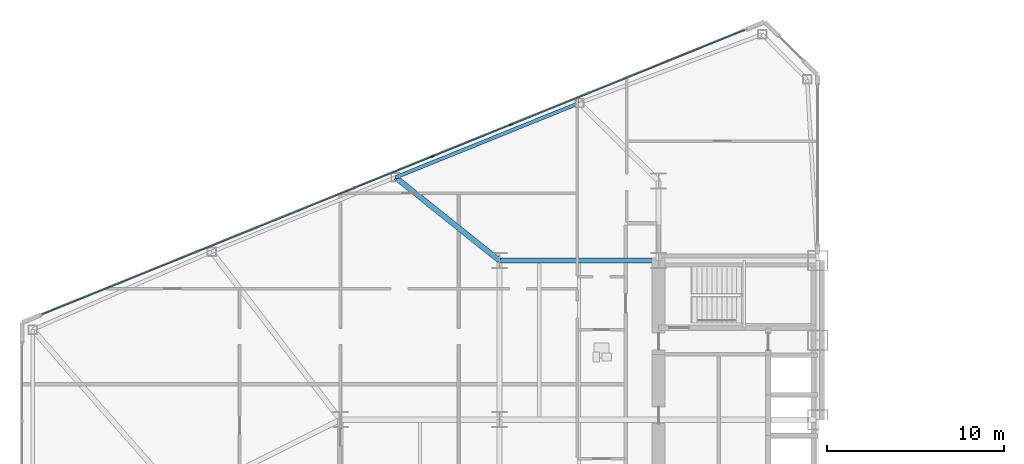
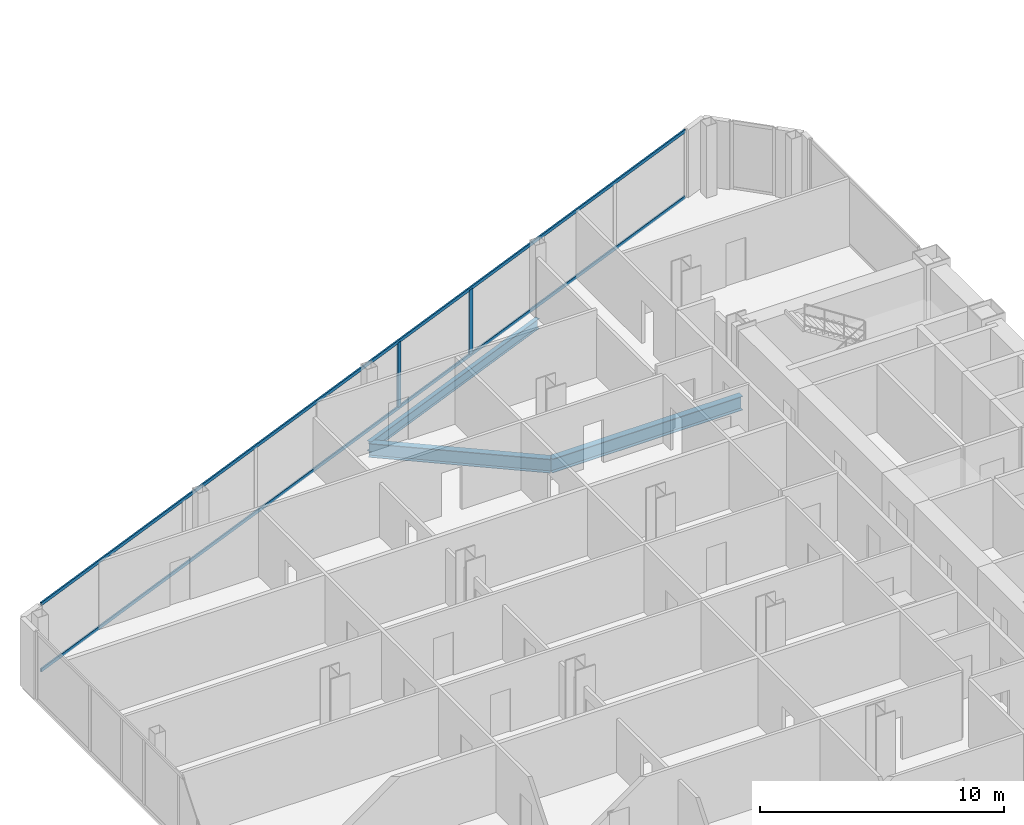
# One storey, part 7 of 25: 4 members, 3 beams, 1 element without a shape of its own.
"""IFC4 building model written with IfcOpenShell, lengths in metres."""

from ifc_helpers import new_model, si_unit, direction, frame, origin, origin_2d, place, context, subcontext, project, spatial, rectangle, i_section, extrude, source, transform, mapped, material, layer, layer_set, material_profile, profile_set, type_object, type_shapes, element, aggregate, save


model = new_model("IFC4")

# Units and contexts
model_context = context("Model", 3, precision=1e-05, world=origin(), true_north=direction((0.0, 1.0)))
body_context = subcontext(model_context, "Body", "Model", "MODEL_VIEW")
ifc_project = project(units=[si_unit("LENGTHUNIT", "METRE"), si_unit("AREAUNIT", "SQUARE_METRE"), si_unit("VOLUMEUNIT", "CUBIC_METRE"), si_unit("PLANEANGLEUNIT", "RADIAN"), si_unit("MASSUNIT", "GRAM", prefix="KILO")], contexts=[model_context])

# Site, building, storey
site_placement = place(None, origin())
site = spatial("IfcSite", under=ifc_project, at=site_placement, CompositionType="ELEMENT")
building_placement = place(site_placement, origin())
building = spatial("IfcBuilding", under=site, at=building_placement, Name="Seokmaru Belvedere", CompositionType="ELEMENT")
storey_placement = place(building_placement, frame((0.0, 0.0, 22.5)))
storey = spatial("IfcBuildingStorey", under=building, at=storey_placement, Name="L05", CompositionType="ELEMENT", Elevation=22.5)

# Beams
ifc_material_1 = material(Name="Steel SM355 (355 MPa)", Category="steel")
ifc_material_profile_1 = material_profile(ifc_material_1, i_section(OverallWidth=0.300048828125, OverallDepth=0.699951171875, WebThickness=0.012939453125, FlangeThickness=0.02392578125, at=origin_2d()), Name="H-700x300x13x24")
ifc_profile_set_1 = profile_set([ifc_material_profile_1], Name="Steel SM355 (355 MPa)")
beam_type_1 = type_object("IfcBeamType", Name="Primary Floor Girder H-700", PredefinedType="BEAM", material=ifc_profile_set_1)
shared_shape_1 = source(origin(), body_context, "Body", "SweptSolid", [
    extrude(i_section(OverallWidth=0.300048828125, OverallDepth=0.699951171875, WebThickness=0.012939453125, FlangeThickness=0.02392578125, at=origin_2d()), origin(), (0.0, 0.0, 1.0), 9.0),
])
beam_1_placement = place(storey_placement, frame((-45.5, 13.5, -0.570068359375), z_axis=(1.0, 0.0, 0.0), x_axis=(0.0, 1.0, 0.0)))
element("IfcBeam", 1, at=beam_1_placement, inside=storey, type_object=beam_type_1, Name="L05 W Wing Primary Girder 4", PredefinedType="BEAM", context=body_context, shape_type="MappedRepresentation", body=[
    mapped(shared_shape_1, transform((0.0, 0.0, 0.0), scale=1.0)),
])
ifc_material_profile_2 = material_profile(ifc_material_1, i_section(OverallWidth=0.199951171875, OverallDepth=0.5, WebThickness=0.010009765625, FlangeThickness=0.01611328125, at=origin_2d()), Name="H-500x200x10x16")
ifc_profile_set_2 = profile_set([ifc_material_profile_2], Name="Steel SM355 (355 MPa)")
beam_type_2 = type_object("IfcBeamType", Name="Perimeter Spandrel Beam H-500", PredefinedType="SPANDREL", material=ifc_profile_set_2)
shared_shape_2 = source(origin(), body_context, "Body", "SweptSolid", [
    extrude(i_section(OverallWidth=0.199951171875, OverallDepth=0.5, WebThickness=0.010009765625, FlangeThickness=0.01611328125, at=origin_2d()), origin(), (0.0, 0.0, 1.0), 11.220703125),
])
type_shapes(beam_type_2, [shared_shape_2])
beam_2_placement = place(storey_placement, frame((-40.977294921875, 22.4140625, -0.469970703125), z_axis=(-0.926944290816, -0.375198989503, 0.0), x_axis=(0.375198989503, -0.926944290816, 0.0)))
element("IfcBeam", 2, at=beam_2_placement, inside=storey, type_object=beam_type_2, Name="L05 W Faceted Flank Spandrel N-2", PredefinedType="SPANDREL", context=body_context, shape_type="MappedRepresentation", body=[
    mapped(shared_shape_2, transform((0.0, 0.0, 0.0), scale=1.0)),
])
shared_shape_3 = source(origin(), body_context, "Body", "SweptSolid", [
    extrude(i_section(OverallWidth=0.300048828125, OverallDepth=0.699951171875, WebThickness=0.012939453125, FlangeThickness=0.02392578125, at=origin_2d()), origin(), (0.0, 0.0, 1.0), 7.52880859375),
])
type_shapes(beam_type_1, [shared_shape_1, shared_shape_3])
beam_3_placement = place(storey_placement, frame((-51.378173828125, 18.2041015625, -0.570068359375), z_axis=(0.780767560736, -0.624821587418, 0.0), x_axis=(0.624821587418, 0.780767560736, 0.0)))
element("IfcBeam", 3, at=beam_3_placement, inside=storey, type_object=beam_type_1, Name="L05 W Flank Radial Floor Girder N-2", PredefinedType="BEAM", context=body_context, shape_type="MappedRepresentation", body=[
    mapped(shared_shape_3, transform((0.0, 0.0, 0.0), scale=1.0)),
])

# Curtain wall, members
ifc_material_2 = material(Name="Bronze Triple Insulating Glass", Category="glass")
ifc_layer = layer(ifc_material_2, 0.2099609375)
ifc_layer_set = layer_set([ifc_layer], Name="Bronze Triple Insulating Glass")
curtain_wall_type = type_object("IfcCurtainWallType", Name="Low-Rise Faceted Crystal Curtain Wall System CW-2", PredefinedType="NOTDEFINED", material=ifc_layer_set)
curtain_wall_placement = place(storey_placement, origin())
curtain_wall = element("IfcCurtainWall", 4, at=curtain_wall_placement, inside=storey, type_object=curtain_wall_type, Name="L05 Curtain Wall WF3", PredefinedType="NOTDEFINED")
ifc_material_3 = material(Name="Anodised Bronze Aluminium", Category="aluminium")
ifc_material_profile_3 = material_profile(ifc_material_3, rectangle(XDim=0.074951171875, YDim=0.2099609375, at=origin_2d()), Name="CW-M-75x210")
ifc_profile_set_3 = profile_set([ifc_material_profile_3], Name="Anodised Bronze Aluminium")
member_type_1 = type_object("IfcMemberType", Name="Bronze Unitised Mullion 75x210", PredefinedType="MULLION", material=ifc_profile_set_3)
shared_shape_4 = source(origin(), body_context, "Body", "SweptSolid", [
    extrude(rectangle(XDim=0.074951171875, YDim=0.2099609375, at=origin_2d()), origin(), (0.0, 0.0, 1.0), 3.239990234375),
])
type_shapes(member_type_1, [shared_shape_4])
member_1_placement = place(storey_placement, frame((-44.855224609375, 21.189453125, 0.070068359375), z_axis=(0.0, 0.0, 1.0), x_axis=(0.375192321888, -0.926946989637, 0.0)))
member_1 = element("IfcMember", 5, at=member_1_placement, type_object=member_type_1, Name="CW:L05:WF3 Mullion 4", PredefinedType="MULLION", context=body_context, shape_type="MappedRepresentation", body=[
    mapped(shared_shape_4, transform((0.0, 0.0, 0.0), scale=1.0)),
])
member_2_placement = place(storey_placement, frame((-49.28515625, 19.396484375, 0.070068359375), z_axis=(0.0, 0.0, 1.0), x_axis=(0.375192321888, -0.926946989637, 0.0)))
member_2 = element("IfcMember", 6, at=member_2_placement, type_object=member_type_1, Name="CW:L05:WF3 Mullion 5", PredefinedType="MULLION", context=body_context, shape_type="MappedRepresentation", body=[
    mapped(shared_shape_4, transform((0.0, 0.0, 0.0), scale=1.0)),
])
ifc_material_profile_4 = material_profile(ifc_material_3, rectangle(XDim=0.070068359375, YDim=0.1650390625, at=origin_2d()), Name="CW-T-70x165")
ifc_profile_set_4 = profile_set([ifc_material_profile_4], Name="Anodised Bronze Aluminium")
member_type_2 = type_object("IfcMemberType", Name="Bronze Unitised Transom 70x165", PredefinedType="USERDEFINED", material=ifc_profile_set_4)
shared_shape_5 = source(origin(), body_context, "Body", "SweptSolid", [
    extrude(rectangle(XDim=0.070068359375, YDim=0.1650390625, at=origin_2d()), origin(), (0.0, 0.0, 1.0), 42.860107421875),
])
type_shapes(member_type_2, [shared_shape_5])
member_3_placement = place(storey_placement, frame((-31.635498046875, 26.540283203125, 0.034912109375), z_axis=(-0.926948605599, -0.375188329481, 0.0), x_axis=(0.375188329481, -0.926948605599, 0.0)))
member_3 = element("IfcMember", 7, at=member_3_placement, type_object=member_type_2, Name="CW:L05:WF3 Continuous Transom 1", ObjectType="TRANSOM", PredefinedType="USERDEFINED", context=body_context, shape_type="MappedRepresentation", body=[
    mapped(shared_shape_5, transform((0.0, 0.0, 0.0), scale=1.0)),
])
member_4_placement = place(storey_placement, frame((-31.635498046875, 26.540283203125, 3.344970703125), z_axis=(-0.926948605599, -0.375188329481, 0.0), x_axis=(0.375188329481, -0.926948605599, 0.0)))
member_4 = element("IfcMember", 8, at=member_4_placement, type_object=member_type_2, Name="CW:L05:WF3 Continuous Transom 2", ObjectType="TRANSOM", PredefinedType="USERDEFINED", context=body_context, shape_type="MappedRepresentation", body=[
    mapped(shared_shape_5, transform((0.0, 0.0, 0.0), scale=1.0)),
])
aggregate(curtain_wall, [member_1, member_2, member_3, member_4])

save(model, "model.ifc")
